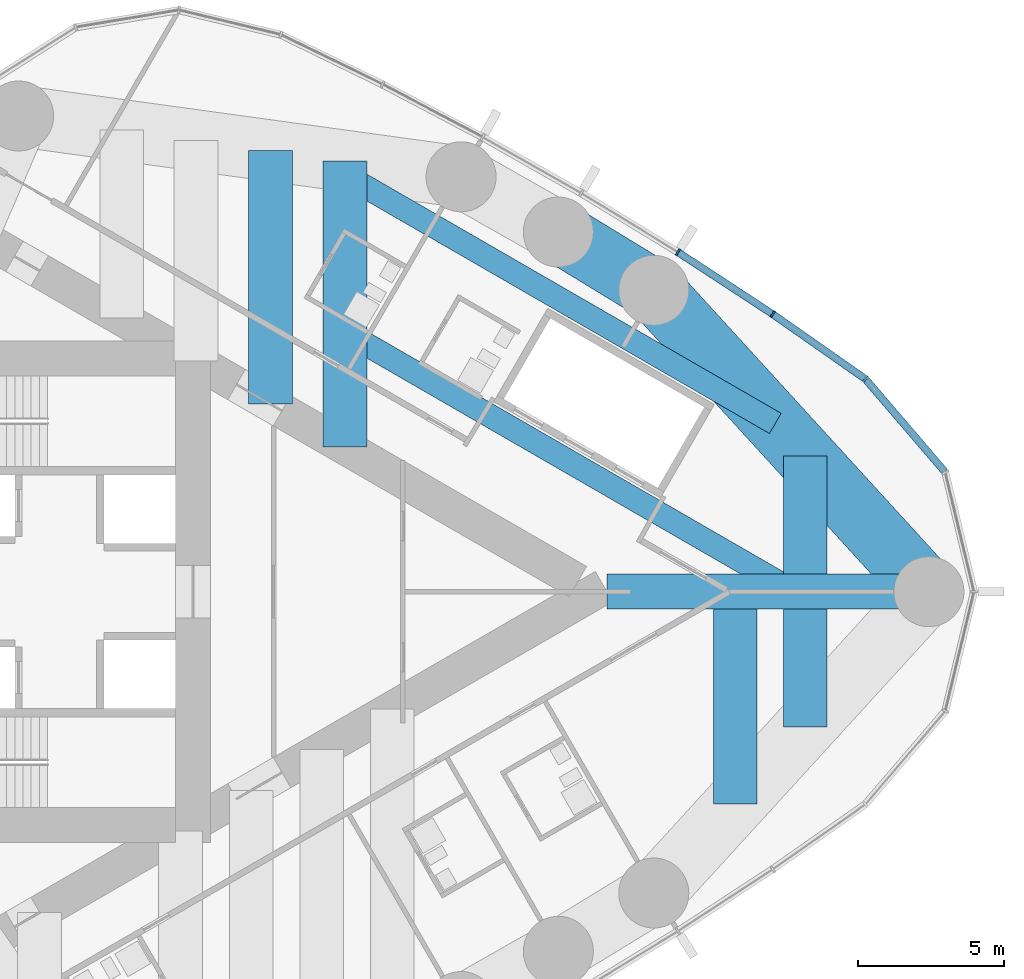
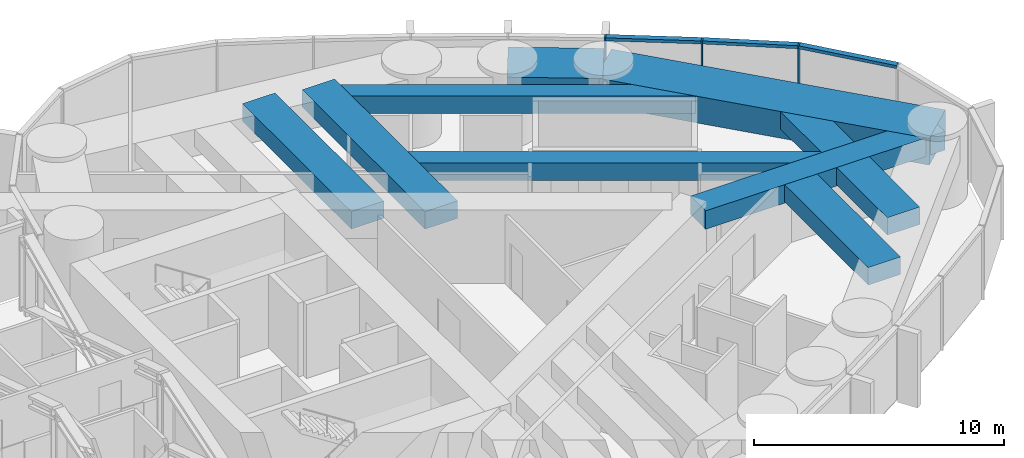
# One storey, part 10 of 24: 10 beams, 6 members, 1 element without a shape of its own.
"""IFC4 building model written with IfcOpenShell, lengths in metres."""

from ifc_helpers import new_model, si_unit, direction, frame, origin, origin_2d, place, context, subcontext, project, spatial, rectangle, hollow_rectangle, extrude, material, material_profile, profile_set, type_object, element, aggregate, save


model = new_model("IFC4")

# Units and contexts
model_context = context("Model", 3, precision=1e-05, world=origin(), true_north=direction((0.0, 1.0)))
body_context = subcontext(model_context, "Body", "Model", "MODEL_VIEW")
ifc_project = project(units=[si_unit("LENGTHUNIT", "METRE"), si_unit("AREAUNIT", "SQUARE_METRE"), si_unit("VOLUMEUNIT", "CUBIC_METRE"), si_unit("PLANEANGLEUNIT", "RADIAN"), si_unit("MASSUNIT", "GRAM", prefix="KILO")], contexts=[model_context])

# Site, building, storey
site_placement = place(None, origin())
site = spatial("IfcSite", under=ifc_project, at=site_placement, CompositionType="ELEMENT")
building_placement = place(site_placement, origin())
building = spatial("IfcBuilding", under=site, at=building_placement, Name="Lancet Gate Hotel", CompositionType="ELEMENT")
storey_placement = place(building_placement, frame((0.0, 0.0, 244.10009765625)))
storey = spatial("IfcBuildingStorey", under=building, at=storey_placement, Name="L65", CompositionType="ELEMENT", Elevation=244.10009765625)

# Curtain wall, members
ifc_material_1 = material(Name="Aluminium curtain wall", Category="aluminium")
curtain_wall_type = type_object("IfcCurtainWallType", Name="Tower unitised curtain wall", PredefinedType="USERDEFINED", material=ifc_material_1)
curtain_wall_placement = place(storey_placement, origin())
curtain_wall = element("IfcCurtainWall", 1, at=curtain_wall_placement, inside=storey, type_object=curtain_wall_type, Name="T2 L65 curtain wall 1", ObjectType="UNITISED CURTAIN WALL", PredefinedType="USERDEFINED")
ifc_material_2 = material(Name="Aluminium mullion", Category="aluminium")
ifc_material_profile_1 = material_profile(ifc_material_2, rectangle(XDim=0.06494140625, YDim=0.25, at=origin_2d()), Name="MULLION 65x250")
ifc_profile_set_1 = profile_set([ifc_material_profile_1], Name="Aluminium mullion")
member_type_1 = type_object("IfcMemberType", Name="Aluminium mullion 65x250", PredefinedType="MULLION", material=ifc_profile_set_1)
member_1_placement = place(storey_placement, frame((60.367431640625, 7.291259765625, 0.0), z_axis=(0.0, 0.0, 1.0), x_axis=(-0.737323173512, 0.675540182226, 0.0)))
member_1 = element("IfcMember", 2, at=member_1_placement, type_object=member_type_1, Name="T2 L65 curtain wall 1 mullion 16", PredefinedType="MULLION", context=body_context, shape_type="SweptSolid", body=[
    extrude(rectangle(XDim=0.06494140625, YDim=0.25, at=origin_2d()), origin(), (0.0, 0.0, 1.0), 3.599853515625),
])
member_2_placement = place(storey_placement, frame((57.185791015625, 9.518310546875, 0.0), z_axis=(0.0, 0.0, 1.0), x_axis=(-0.828154697184, 0.560499596371, 0.0)))
member_2 = element("IfcMember", 3, at=member_2_placement, type_object=member_type_1, Name="T2 L65 curtain wall 1 mullion 17", PredefinedType="MULLION", context=body_context, shape_type="SweptSolid", body=[
    extrude(rectangle(XDim=0.06494140625, YDim=0.25, at=origin_2d()), origin(), (0.0, 0.0, 1.0), 3.599853515625),
])
member_3_placement = place(storey_placement, frame((53.935791015625, 11.644287109375, 0.0), z_axis=(0.0, 0.0, 1.0), x_axis=(-0.845339753513, 0.534229071777, 0.0)))
member_3 = element("IfcMember", 4, at=member_3_placement, type_object=member_type_1, Name="T2 L65 curtain wall 1 mullion 18", PredefinedType="MULLION", context=body_context, shape_type="SweptSolid", body=[
    extrude(rectangle(XDim=0.06494140625, YDim=0.25, at=origin_2d()), origin(), (0.0, 0.0, 1.0), 3.599853515625),
])
ifc_material_3 = material(Name="Aluminium transom", Category="aluminium")
ifc_material_profile_2 = material_profile(ifc_material_3, rectangle(XDim=0.25, YDim=0.14990234375, at=origin_2d()), Name="TRANSOM 250x150")
ifc_profile_set_2 = profile_set([ifc_material_profile_2], Name="Aluminium transom")
member_type_2 = type_object("IfcMemberType", Name="Aluminium transom 250x150", PredefinedType="USERDEFINED", material=ifc_profile_set_2)
member_4_placement = place(storey_placement, frame((63.08544921875, 4.118408203125, 3.52490234375), z_axis=(-0.650592500186, 0.759427019997, 0.0), x_axis=(-0.759427019997, -0.650592500186, 0.0)))
member_4 = element("IfcMember", 5, at=member_4_placement, type_object=member_type_2, Name="T2 L65 curtain wall 1 transom 15", ObjectType="TRANSOM", PredefinedType="USERDEFINED", context=body_context, shape_type="SweptSolid", body=[
    extrude(rectangle(XDim=0.25, YDim=0.14990234375, at=origin_2d()), origin(), (0.0, 0.0, 1.0), 4.1455078125),
])
member_5_placement = place(storey_placement, frame((60.3408203125, 7.31005859375, 3.52490234375), z_axis=(-0.819255948852, 0.573428016642, 0.0), x_axis=(-0.573428016642, -0.819255948852, 0.0)))
member_5 = element("IfcMember", 6, at=member_5_placement, type_object=member_type_2, Name="T2 L65 curtain wall 1 transom 16", ObjectType="TRANSOM", PredefinedType="USERDEFINED", context=body_context, shape_type="SweptSolid", body=[
    extrude(rectangle(XDim=0.25, YDim=0.14990234375, at=origin_2d()), origin(), (0.0, 0.0, 1.0), 3.818603515625),
])
member_6_placement = place(storey_placement, frame((57.158447265625, 9.5361328125, 3.52490234375), z_axis=(-0.836858089593, 0.547419891749, 0.0), x_axis=(-0.547419891749, -0.836858089593, 0.0)))
member_6 = element("IfcMember", 7, at=member_6_placement, type_object=member_type_2, Name="T2 L65 curtain wall 1 transom 17", ObjectType="TRANSOM", PredefinedType="USERDEFINED", context=body_context, shape_type="SweptSolid", body=[
    extrude(rectangle(XDim=0.25, YDim=0.14990234375, at=origin_2d()), origin(), (0.0, 0.0, 1.0), 3.818603515625),
])
aggregate(curtain_wall, [member_1, member_2, member_3, member_4, member_5, member_6])

# Beams
ifc_material_4 = material(Name="Concrete C50/60", Category="concrete")
ifc_material_profile_3 = material_profile(ifc_material_4, rectangle(XDim=2.10009765625, YDim=1.300048828125, at=origin_2d()), Name="RC 2100x1300")
ifc_profile_set_3 = profile_set([ifc_material_profile_3], Name="Concrete C50/60")
beam_type_1 = type_object("IfcBeamType", Name="Edge beam RC 2100x1300", PredefinedType="SPANDREL", material=ifc_profile_set_3)
beam_1_placement = place(storey_placement, frame((62.54150390625, 0.0, 2.699951171875), z_axis=(-0.674209372947, 0.738540263919, 0.0), x_axis=(-0.738540263919, -0.674209372947, 0.0)))
element("IfcBeam", 8, at=beam_1_placement, inside=storey, type_object=beam_type_1, Name="T2 edge beam EB1 L65", PredefinedType="SPANDREL", context=body_context, shape_type="SweptSolid", body=[
    extrude(rectangle(XDim=2.10009765625, YDim=1.300048828125, at=origin_2d()), origin(), (0.0, 0.0, 1.0), 13.992431640625),
])
beam_2_placement = place(storey_placement, frame((53.107666015625, 10.333984375, 2.699951171875), z_axis=(-0.853604257265, 0.520922040212, 0.0), x_axis=(-0.520922040212, -0.853604257265, 0.0)))
element("IfcBeam", 9, at=beam_2_placement, inside=storey, type_object=beam_type_1, Name="T2 edge beam EB1 L65", PredefinedType="SPANDREL", context=body_context, shape_type="SweptSolid", body=[
    extrude(rectangle(XDim=2.10009765625, YDim=1.300048828125, at=origin_2d()), origin(), (0.0, 0.0, 1.0), 3.835205078125),
])
ifc_material_5 = material(Name="Concrete C50/60", Category="concrete")
ifc_material_profile_4 = material_profile(ifc_material_5, rectangle(XDim=1.5, YDim=0.85009765625, at=origin_2d()), Name="RC 1500x850")
ifc_profile_set_4 = profile_set([ifc_material_profile_4], Name="Concrete C50/60")
beam_type_2 = type_object("IfcBeamType", Name="Floor beam RC 1500x850", PredefinedType="BEAM", material=ifc_profile_set_4)
beam_3_placement = place(storey_placement, frame((39.9658203125, 6.429443359375, 2.9248046875), z_axis=(0.0, 1.0, 0.0), x_axis=(-1.0, 0.0, 0.0)))
element("IfcBeam", 10, at=beam_3_placement, inside=storey, type_object=beam_type_2, Name="T2 floor beam F06N L65", PredefinedType="BEAM", context=body_context, shape_type="SweptSolid", body=[
    extrude(rectangle(XDim=1.5, YDim=0.85009765625, at=origin_2d()), origin(), (0.0, 0.0, 1.0), 8.694091796875),
])
beam_4_placement = place(storey_placement, frame((42.51904296875, 4.95556640625, 2.9248046875), z_axis=(0.0, 1.0, 0.0), x_axis=(-1.0, 0.0, 0.0)))
element("IfcBeam", 11, at=beam_4_placement, inside=storey, type_object=beam_type_2, Name="T2 floor beam F08N L65", PredefinedType="BEAM", context=body_context, shape_type="SweptSolid", body=[
    extrude(rectangle(XDim=1.5, YDim=0.85009765625, at=origin_2d()), origin(), (0.0, 0.0, 1.0), 9.817138671875),
])
beam_5_placement = place(storey_placement, frame((55.90234375, -7.272705078125, 2.9248046875), z_axis=(0.0, 1.0, 0.0), x_axis=(-1.0, 0.0, 0.0)))
element("IfcBeam", 12, at=beam_5_placement, inside=storey, type_object=beam_type_2, Name="T2 floor beam F10S L65", PredefinedType="BEAM", context=body_context, shape_type="SweptSolid", body=[
    extrude(rectangle(XDim=1.5, YDim=0.85009765625, at=origin_2d()), origin(), (0.0, 0.0, 1.0), 6.672607421875),
])
for number, where, z_axis, x_axis, name in (
    (13, (58.30224609375, -4.643798828125, 2.9248046875), (0.0, 1.0, 0.0), (-1.0, 0.0, 0.0), "T2 floor beam F12S L65"),
    (14, (58.30224609375, 0.60009765625, 2.9248046875), (0.0, 1.0, 0.0), (-1.0, 0.0, 0.0), "T2 floor beam F13N L65"),
):
    element("IfcBeam", number, at=place(storey_placement, frame(where, z_axis=z_axis, x_axis=x_axis)), inside=storey, type_object=beam_type_2, Name=name, PredefinedType="BEAM", context=body_context, shape_type="SweptSolid", body=[
        extrude(rectangle(XDim=1.5, YDim=0.85009765625, at=origin_2d()), origin(), (0.0, 0.0, 1.0), 4.043701171875),
    ])
ifc_material_6 = material(Name="Concrete C50/60", Category="concrete")
ifc_material_profile_5 = material_profile(ifc_material_6, rectangle(XDim=1.199951171875, YDim=0.89990234375, at=origin_2d()), Name="RC 1200x900")
ifc_profile_set_5 = profile_set([ifc_material_profile_5], Name="Concrete C50/60")
beam_type_3 = type_object("IfcBeamType", Name="Radial floor beam RC 1200x900", PredefinedType="BEAM", material=ifc_profile_set_5)
beam_6_placement = place(storey_placement, frame((62.54150390625, 0.0, 2.89990234375), z_axis=(-1.0, 0.0, 0.0), x_axis=(0.0, -1.0, 0.0)))
element("IfcBeam", 15, at=beam_6_placement, inside=storey, type_object=beam_type_3, Name="T2 radial beam CA L65", PredefinedType="BEAM", context=body_context, shape_type="SweptSolid", body=[
    extrude(rectangle(XDim=1.199951171875, YDim=0.89990234375, at=origin_2d()), origin(), (0.0, 0.0, 1.0), 11.039306640625),
])
ifc_material_7 = material(Name="Steel S460QL", Category="steel")
ifc_material_profile_6 = material_profile(ifc_material_7, hollow_rectangle(XDim=0.800048828125, YDim=0.85009765625, WallThickness=0.080078125, at=origin_2d()), Name="BOX 850x800x80")
ifc_profile_set_6 = profile_set([ifc_material_profile_6], Name="Steel S460QL")
beam_type_4 = type_object("IfcBeamType", Name="Trimmer beam BOX 850x800x80", PredefinedType="BEAM", material=ifc_profile_set_6)
beam_7_placement = place(storey_placement, frame((42.51904296875, 14.289794921875, 2.9248046875), z_axis=(0.865991109766, -0.500059394279, 0.0), x_axis=(0.500059394279, 0.865991109766, 0.0)))
element("IfcBeam", 16, at=beam_7_placement, inside=storey, type_object=beam_type_4, Name="T2 trimmer beam TR01N L65", PredefinedType="BEAM", context=body_context, shape_type="SweptSolid", body=[
    extrude(hollow_rectangle(XDim=0.800048828125, YDim=0.85009765625, WallThickness=0.080078125, at=origin_2d()), origin(), (0.0, 0.0, 1.0), 17.0390625),
])
beam_8_placement = place(storey_placement, frame((42.51904296875, 8.90185546875, 2.9248046875), z_axis=(0.865994419471, -0.500053662566, 0.0), x_axis=(0.500053662566, 0.865994419471, 0.0)))
element("IfcBeam", 17, at=beam_8_placement, inside=storey, type_object=beam_type_4, Name="T2 trimmer beam TR02N L65", PredefinedType="BEAM", context=body_context, shape_type="SweptSolid", body=[
    extrude(hollow_rectangle(XDim=0.800048828125, YDim=0.85009765625, WallThickness=0.080078125, at=origin_2d()), origin(), (0.0, 0.0, 1.0), 17.8017578125),
])

save(model, "model.ifc")
